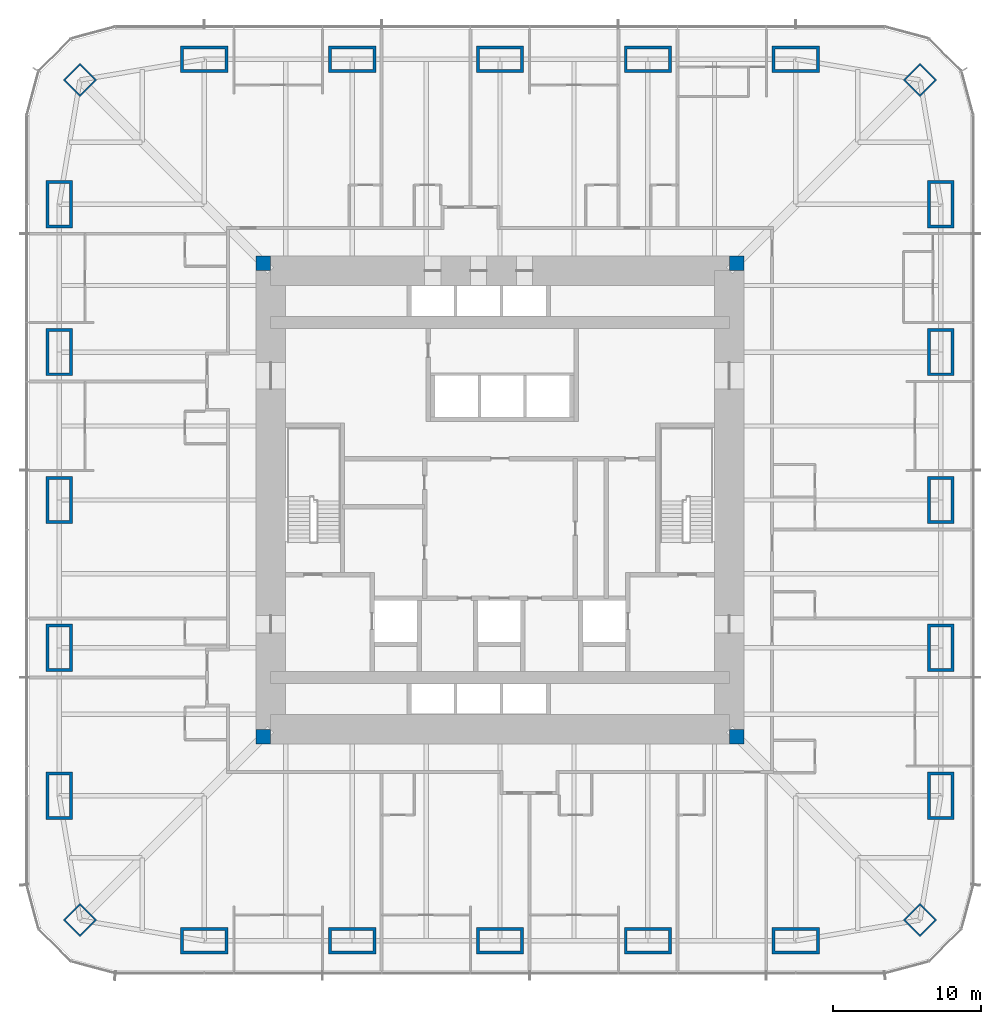
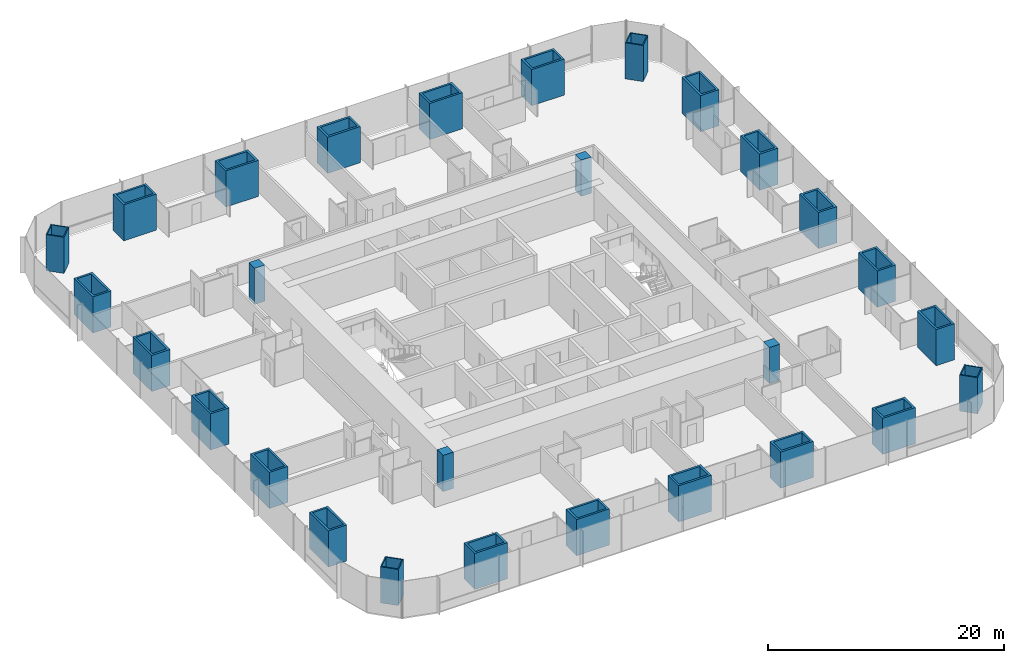
# One storey, part 1 of 20: 28 columns.
"""IFC4 building model written with IfcOpenShell, lengths in metres."""

from ifc_helpers import new_model, si_unit, direction, frame, origin, origin_2d, place, context, subcontext, project, spatial, rectangle, hollow_rectangle, extrude, material, material_profile, profile_set, type_object, element, save


model = new_model("IFC4")

# Units and contexts
model_context = context("Model", 3, precision=1e-05, world=origin(), true_north=direction((0.0, 1.0)))
body_context = subcontext(model_context, "Body", "Model", "MODEL_VIEW")
ifc_project = project(units=[si_unit("LENGTHUNIT", "METRE"), si_unit("AREAUNIT", "SQUARE_METRE"), si_unit("VOLUMEUNIT", "CUBIC_METRE"), si_unit("PLANEANGLEUNIT", "RADIAN"), si_unit("MASSUNIT", "GRAM", prefix="KILO")], contexts=[model_context])

# Site, building, storey
site_placement = place(None, origin())
site = spatial("IfcSite", under=ifc_project, at=site_placement, CompositionType="ELEMENT")
building_placement = place(site_placement, origin())
building = spatial("IfcBuilding", under=site, at=building_placement, Name="Khuree Lantern Residences", CompositionType="ELEMENT")
storey_placement = place(building_placement, frame((0.0, 0.0, 28.5)))
storey = spatial("IfcBuildingStorey", under=building, at=storey_placement, Name="L06", CompositionType="ELEMENT", Elevation=28.5)

# Columns
ifc_material_1 = material(Name="Steel S355 CFT welded box", Category="steel")
ifc_material_profile_1 = material_profile(ifc_material_1, hollow_rectangle(XDim=1.60009765625, YDim=1.60009765625, WallThickness=0.10009765625, at=origin_2d()), Name="WELDED BOX 1600X1600X100")
ifc_profile_set_1 = profile_set([ifc_material_profile_1], Name="Steel S355 CFT welded box")
column_type_1 = type_object("IfcColumnType", Name="CC1600 PERIMETER CORNER MEGA COLUMN WELDED BOX 1600X1600X100", PredefinedType="COLUMN", material=ifc_profile_set_1)
for number, where, z_axis, x_axis, name in (
    (1, (28.39404296875, 28.39404296875, 0.0), (0.0, 0.0, 1.0), (0.707106781187, -0.707106781187, 0.0), "Perimeter column NE"),
    (2, (28.39404296875, -28.39404296875, 0.0), (0.0, 0.0, 1.0), (0.707106781187, 0.707106781187, 0.0), "Perimeter column SE"),
    (3, (-28.39404296875, -28.39404296875, 0.0), (0.0, 0.0, 1.0), (0.707106781187, -0.707106781187, 0.0), "Perimeter column SW"),
    (4, (-28.39404296875, 28.39404296875, 0.0), (0.0, 0.0, 1.0), (0.707106781187, 0.707106781187, 0.0), "Perimeter column NW"),
):
    element("IfcColumn", number, at=place(storey_placement, frame(where, z_axis=z_axis, x_axis=x_axis)), inside=storey, type_object=column_type_1, Name=name, PredefinedType="COLUMN", context=body_context, shape_type="SweptSolid", body=[
        extrude(hollow_rectangle(XDim=1.60009765625, YDim=1.60009765625, WallThickness=0.10009765625, at=origin_2d()), origin(), (0.0, 0.0, 1.0), 3.75),
    ])
ifc_material_2 = material(Name="Concrete C70/85", Category="concrete")
ifc_material_profile_2 = material_profile(ifc_material_2, rectangle(XDim=1.0, YDim=1.0, at=origin_2d()), Name="RC 1000X1000")
ifc_profile_set_2 = profile_set([ifc_material_profile_2], Name="Concrete C70/85")
column_type_2 = type_object("IfcColumnType", Name="CP1000-C70 CORE CORNER PIER C70 RC 1000X1000", PredefinedType="COLUMN", material=ifc_profile_set_2)
for number, where, z_axis, x_axis, name in (
    (5, (16.0, 16.0, -0.25), (0.0, 0.0, 1.0), (1.0, 0.0, 0.0), "Core corner pier NE"),
    (6, (-16.0, 16.0, -0.25), (0.0, 0.0, 1.0), (1.0, 0.0, 0.0), "Core corner pier NW"),
    (7, (-16.0, -16.0, -0.25), (0.0, 0.0, 1.0), (1.0, 0.0, 0.0), "Core corner pier SW"),
    (8, (16.0, -16.0, -0.25), (0.0, 0.0, 1.0), (1.0, 0.0, 0.0), "Core corner pier SE"),
):
    element("IfcColumn", number, at=place(storey_placement, frame(where, z_axis=z_axis, x_axis=x_axis)), inside=storey, type_object=column_type_2, Name=name, PredefinedType="COLUMN", context=body_context, shape_type="SweptSolid", body=[
        extrude(rectangle(XDim=1.0, YDim=1.0, at=origin_2d()), origin(), (0.0, 0.0, 1.0), 3.75),
    ])
ifc_material_profile_3 = material_profile(ifc_material_1, hollow_rectangle(XDim=3.199951171875, YDim=1.800048828125, WallThickness=0.199951171875, at=origin_2d()), Name="WELDED BOX 3200X1800X200")
ifc_profile_set_3 = profile_set([ifc_material_profile_3], Name="Steel S355 CFT welded box")
column_type_3 = type_object("IfcColumnType", Name="SC1 PERIMETER MEGA COLUMN WELDED BOX 3200X1800X200", PredefinedType="COLUMN", material=ifc_profile_set_3)
for number, where, z_axis, x_axis, name in (
    (9, (-20.0, 29.800048828125, 0.0), (0.0, 0.0, 1.0), (1.0, 0.0, 0.0), "Perimeter column N1"),
    (10, (-10.0, 29.800048828125, 0.0), (0.0, 0.0, 1.0), (1.0, 0.0, 0.0), "Perimeter column N2"),
    (11, (0.0, 29.800048828125, 0.0), (0.0, 0.0, 1.0), (1.0, 0.0, 0.0), "Perimeter column N3"),
    (12, (10.0, 29.800048828125, 0.0), (0.0, 0.0, 1.0), (1.0, 0.0, 0.0), "Perimeter column N4"),
    (13, (20.0, 29.800048828125, 0.0), (0.0, 0.0, 1.0), (1.0, 0.0, 0.0), "Perimeter column N5"),
    (14, (29.800048828125, 20.0, 0.0), (0.0, 0.0, 1.0), (0.0, 1.0, 0.0), "Perimeter column E1"),
    (15, (29.800048828125, 10.0, 0.0), (0.0, 0.0, 1.0), (0.0, 1.0, 0.0), "Perimeter column E2"),
    (16, (29.800048828125, 0.0, 0.0), (0.0, 0.0, 1.0), (0.0, 1.0, 0.0), "Perimeter column E3"),
    (17, (29.800048828125, -10.0, 0.0), (0.0, 0.0, 1.0), (0.0, 1.0, 0.0), "Perimeter column E4"),
    (18, (29.800048828125, -20.0, 0.0), (0.0, 0.0, 1.0), (0.0, 1.0, 0.0), "Perimeter column E5"),
    (19, (20.0, -29.800048828125, 0.0), (0.0, 0.0, 1.0), (1.0, 0.0, 0.0), "Perimeter column S1"),
    (20, (10.0, -29.800048828125, 0.0), (0.0, 0.0, 1.0), (1.0, 0.0, 0.0), "Perimeter column S2"),
    (21, (0.0, -29.800048828125, 0.0), (0.0, 0.0, 1.0), (1.0, 0.0, 0.0), "Perimeter column S3"),
    (22, (-10.0, -29.800048828125, 0.0), (0.0, 0.0, 1.0), (1.0, 0.0, 0.0), "Perimeter column S4"),
    (23, (-20.0, -29.800048828125, 0.0), (0.0, 0.0, 1.0), (1.0, 0.0, 0.0), "Perimeter column S5"),
    (24, (-29.800048828125, -20.0, 0.0), (0.0, 0.0, 1.0), (0.0, 1.0, 0.0), "Perimeter column W1"),
    (25, (-29.800048828125, -10.0, 0.0), (0.0, 0.0, 1.0), (0.0, 1.0, 0.0), "Perimeter column W2"),
    (26, (-29.800048828125, 0.0, 0.0), (0.0, 0.0, 1.0), (0.0, 1.0, 0.0), "Perimeter column W3"),
    (27, (-29.800048828125, 10.0, 0.0), (0.0, 0.0, 1.0), (0.0, 1.0, 0.0), "Perimeter column W4"),
    (28, (-29.800048828125, 20.0, 0.0), (0.0, 0.0, 1.0), (0.0, 1.0, 0.0), "Perimeter column W5"),
):
    element("IfcColumn", number, at=place(storey_placement, frame(where, z_axis=z_axis, x_axis=x_axis)), inside=storey, type_object=column_type_3, Name=name, PredefinedType="COLUMN", context=body_context, shape_type="SweptSolid", body=[
        extrude(hollow_rectangle(XDim=3.199951171875, YDim=1.800048828125, WallThickness=0.199951171875, at=origin_2d()), origin(), (0.0, 0.0, 1.0), 3.75),
    ])

save(model, "model.ifc")
